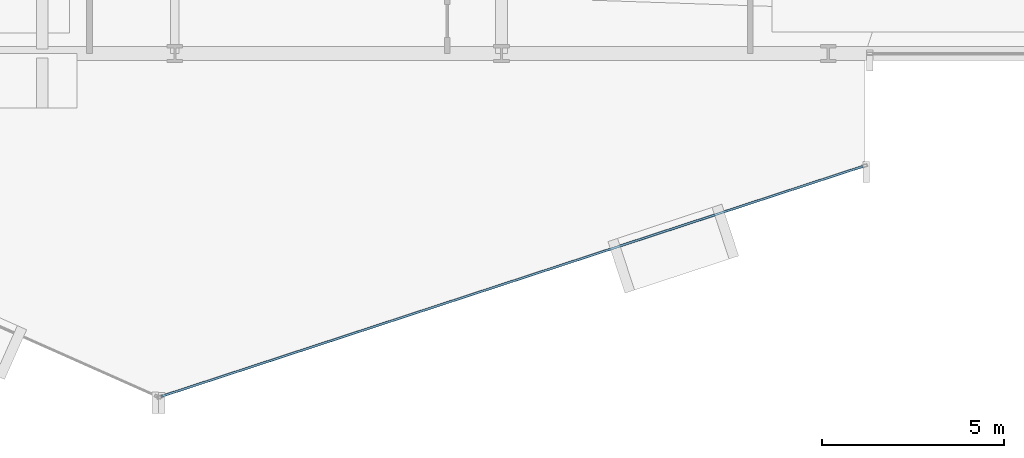
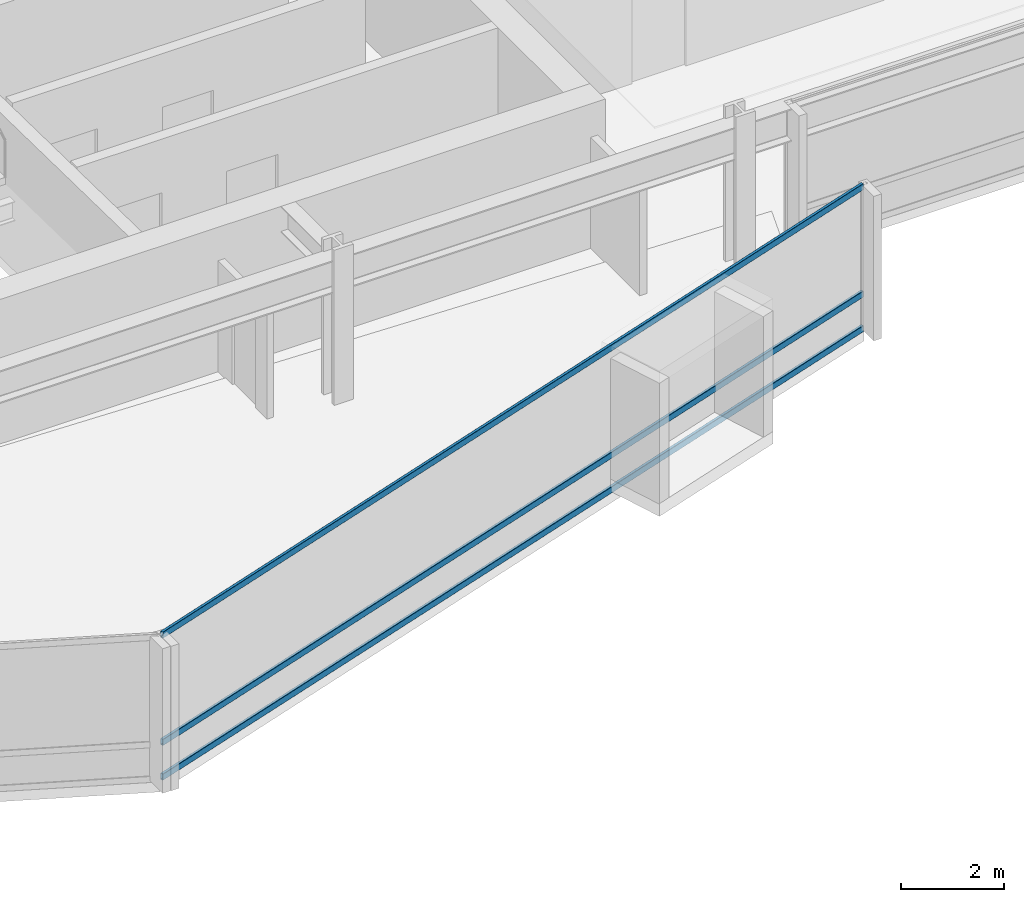
# One storey, part 9 of 34: 3 members, 1 element without a shape of its own.
"""IFC4 building model written with IfcOpenShell, lengths in metres."""

from ifc_helpers import new_model, si_unit, direction, frame, origin, origin_2d, place, context, subcontext, project, spatial, hollow_rectangle, extrude, material, layer, layer_set, material_profile, profile_set, type_object, element, aggregate, save


model = new_model("IFC4")

# Units and contexts
model_context = context("Model", 3, precision=1e-05, world=origin(), true_north=direction((0.0, 1.0)))
body_context = subcontext(model_context, "Body", "Model", "MODEL_VIEW")
ifc_project = project(units=[si_unit("LENGTHUNIT", "METRE"), si_unit("AREAUNIT", "SQUARE_METRE"), si_unit("VOLUMEUNIT", "CUBIC_METRE"), si_unit("PLANEANGLEUNIT", "RADIAN"), si_unit("MASSUNIT", "GRAM", prefix="KILO")], contexts=[model_context])

# Site, building, storey
site_placement = place(None, origin())
site = spatial("IfcSite", under=ifc_project, at=site_placement, CompositionType="ELEMENT")
building_placement = place(site_placement, origin())
building = spatial("IfcBuilding", under=site, at=building_placement, Name="Solvaryn Broadcast Tower", CompositionType="ELEMENT")
storey_placement = place(building_placement, frame((0.0, 0.0, 43.39990234375)))
storey = spatial("IfcBuildingStorey", under=building, at=storey_placement, Name="L09", CompositionType="ELEMENT", Elevation=43.39990234375)

# Curtain wall, members
ifc_material_1 = material(Name="Aluminium and Terracotta Unitised Curtain Wall", Category="masonry")
ifc_layer = layer(ifc_material_1, 0.199951171875)
ifc_layer_set = layer_set([ifc_layer], Name="CW-SYS2-LOWMID")
curtain_wall_type = type_object("IfcCurtainWallType", Name="CW-SYS2-LOWMID", PredefinedType="NOTDEFINED", material=ifc_layer_set)
curtain_wall_placement = place(storey_placement, origin())
curtain_wall = element("IfcCurtainWall", 1, at=curtain_wall_placement, inside=storey, type_object=curtain_wall_type, Name="L09 Curtain Wall DR4", PredefinedType="NOTDEFINED")
ifc_material_2 = material(Name="Anodised Aluminium 6063-T6", Category="aluminium")
ifc_material_profile = material_profile(ifc_material_2, hollow_rectangle(XDim=0.06494140625, YDim=0.14990234375, WallThickness=0.00390625, InnerFilletRadius=0.00390625, OuterFilletRadius=0.008056640625, at=origin_2d()))
ifc_profile_set = profile_set([ifc_material_profile], Name="Anodised Aluminium 6063-T6")
member_type = type_object("IfcMemberType", Name="CW-TRN-150", PredefinedType="USERDEFINED", material=ifc_profile_set)
member_1_placement = place(storey_placement, frame((26.616943359375, -0.4453125, 0.030029296875), z_axis=(0.950216792475, 0.311589549406, 0.0), x_axis=(-0.311589549406, 0.950216792475, 0.0)))
member_1 = element("IfcMember", 2, at=member_1_placement, type_object=member_type, Name="CWS2 transom 1.1", ObjectType="TRANSOM", PredefinedType="USERDEFINED", context=body_context, shape_type="SweptSolid", body=[
    extrude(hollow_rectangle(XDim=0.06494140625, YDim=0.14990234375, WallThickness=0.00390625, InnerFilletRadius=0.00390625, OuterFilletRadius=0.008056640625, at=origin_2d()), origin(), (0.0, 0.0, 1.0), 20.35546875),
])
member_2_placement = place(storey_placement, frame((26.616943359375, -0.4453125, 0.85009765625), z_axis=(0.950216792475, 0.311589549406, 0.0), x_axis=(-0.311589549406, 0.950216792475, 0.0)))
member_2 = element("IfcMember", 3, at=member_2_placement, type_object=member_type, Name="CWS2 transom 1.2", ObjectType="TRANSOM", PredefinedType="USERDEFINED", context=body_context, shape_type="SweptSolid", body=[
    extrude(hollow_rectangle(XDim=0.06494140625, YDim=0.14990234375, WallThickness=0.00390625, InnerFilletRadius=0.00390625, OuterFilletRadius=0.008056640625, at=origin_2d()), origin(), (0.0, 0.0, 1.0), 20.35546875),
])
member_3_placement = place(storey_placement, frame((26.616943359375, -0.4453125, 3.39013671875), z_axis=(0.950216792475, 0.311589549406, 0.0), x_axis=(-0.311589549406, 0.950216792475, 0.0)))
member_3 = element("IfcMember", 4, at=member_3_placement, type_object=member_type, Name="CWS2 transom 1.3", ObjectType="TRANSOM", PredefinedType="USERDEFINED", context=body_context, shape_type="SweptSolid", body=[
    extrude(hollow_rectangle(XDim=0.06494140625, YDim=0.14990234375, WallThickness=0.00390625, InnerFilletRadius=0.00390625, OuterFilletRadius=0.008056640625, at=origin_2d()), origin(), (0.0, 0.0, 1.0), 20.35546875),
])
aggregate(curtain_wall, [member_1, member_2, member_3])

save(model, "model.ifc")
